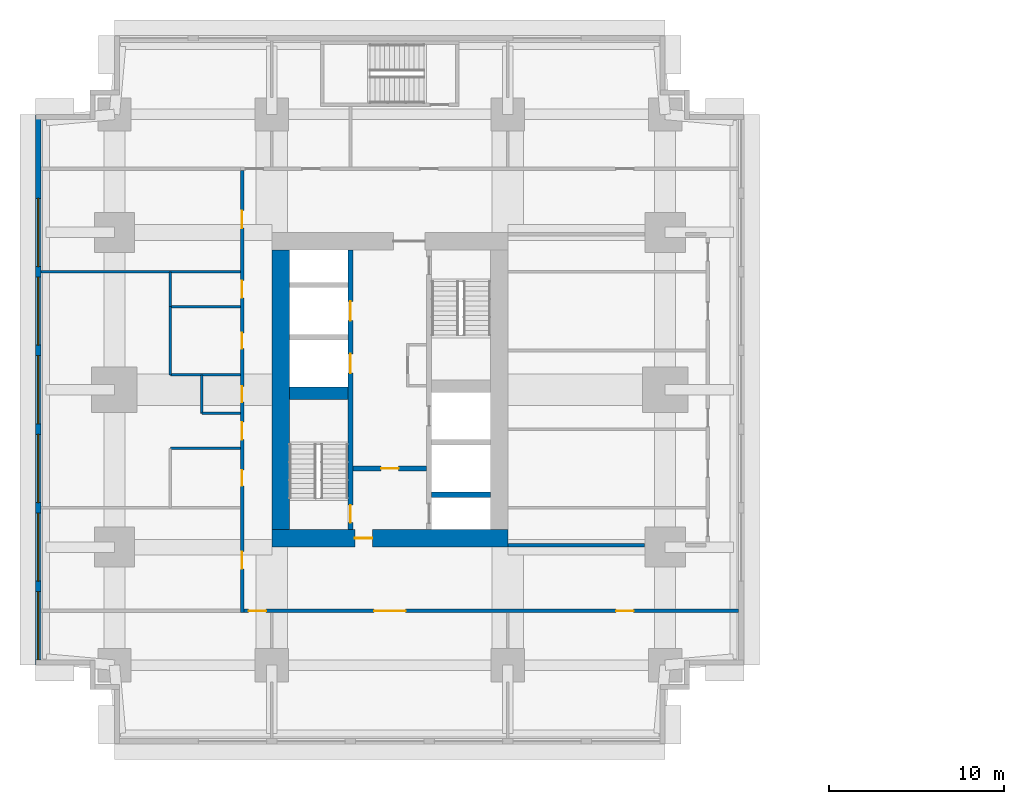
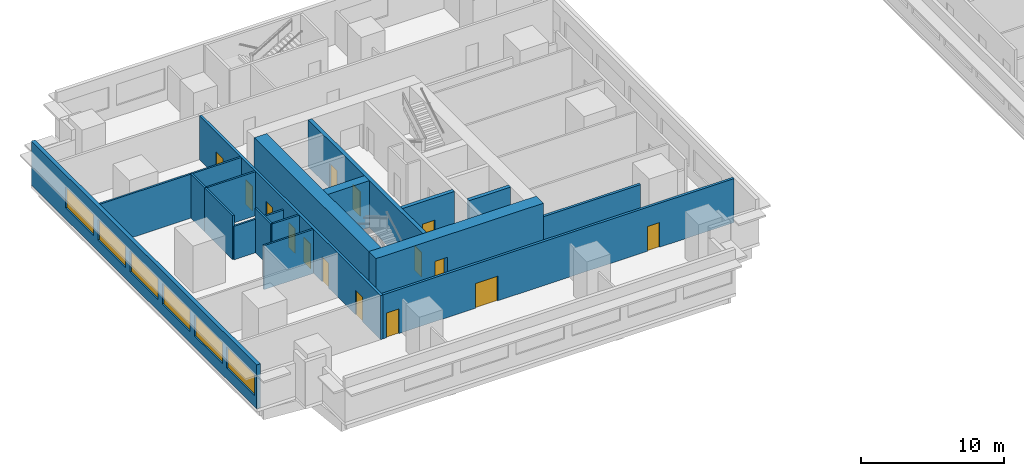
# One storey, part 3 of 11: 18 walls, 15 doors, 6 windows, 21 openings.
"""IFC4 building model written with IfcOpenShell, lengths in metres."""

from ifc_helpers import new_model, si_unit, direction, frame, frame_2d, origin, place, context, subcontext, project, spatial, rectangle, extrude, material, layer, layer_set, type_object, element, fill, save


model = new_model("IFC4")

# Units and contexts
model_context = context("Model", 3, precision=1e-05, world=origin(), true_north=direction((0.0, 1.0)))
body_context = subcontext(model_context, "Body", "Model", "MODEL_VIEW")
ifc_project = project(units=[si_unit("LENGTHUNIT", "METRE"), si_unit("AREAUNIT", "SQUARE_METRE"), si_unit("VOLUMEUNIT", "CUBIC_METRE"), si_unit("PLANEANGLEUNIT", "RADIAN"), si_unit("MASSUNIT", "GRAM", prefix="KILO")], contexts=[model_context])

# Site, building, storey
site_placement = place(None, origin())
site = spatial("IfcSite", under=ifc_project, at=site_placement, CompositionType="ELEMENT")
building_placement = place(site_placement, origin())
building = spatial("IfcBuilding", under=site, at=building_placement, Name="Namib Vertical Campus", CompositionType="ELEMENT")
storey_placement = place(building_placement, frame((0.0, 0.0, 89.0)))
storey = spatial("IfcBuildingStorey", under=building, at=storey_placement, Name="L20", CompositionType="ELEMENT", Elevation=89.0)

# Wall, openings, doors
ifc_material_1 = material(Name="Concrete C60/75", Category="concrete")
ifc_layer_1 = layer(ifc_material_1, 0.300048828125)
ifc_layer_set_1 = layer_set([ifc_layer_1], Name="Concrete C60/75")
wall_type_1 = type_object("IfcWallType", Name="Core inner wall 300", PredefinedType="SHEAR", material=ifc_layer_set_1)
wall_1_placement = place(storey_placement, frame((18.0, 12.25, 0.0), z_axis=(0.0, 0.0, 1.0), x_axis=(0.0, 1.0, 0.0)))
wall_1 = element("IfcWall", 1, at=wall_1_placement, inside=storey, type_object=wall_type_1, Name="Core inner wall A L20 W1", PredefinedType="SHEAR", context=body_context, shape_type="SweptSolid", body=[
    extrude(rectangle(XDim=16.0, YDim=0.300048828125, at=frame_2d((8.0, 0.0))), origin(), (0.0, 0.0, 1.0), 4.0),
])
opening_1_placement = place(wall_1_placement, frame((0.39990234375, 0.0, 0.0)))
opening_1 = element("IfcOpeningElement", 2, at=opening_1_placement, cuts=wall_1, Name="Opening FD1", PredefinedType="OPENING", context=body_context, shape_type="SweptSolid", body=[
    extrude(rectangle(XDim=1.0, YDim=2.10009765625, at=frame_2d((0.5, 1.050048828125))), frame((0.0, 0.159912109375, 0.0), z_axis=(0.0, -1.0, 0.0), x_axis=(1.0, 0.0, 0.0)), (0.0, 0.0, 1.0), 0.320068359375),
])
opening_2_placement = place(wall_1_placement, frame((8.949951171875, 0.0, 0.0)))
opening_2 = element("IfcOpeningElement", 3, at=opening_2_placement, cuts=wall_1, Name="Opening LD1", PredefinedType="OPENING", context=body_context, shape_type="SweptSolid", body=[
    extrude(rectangle(XDim=1.10009765625, YDim=2.10009765625, at=frame_2d((0.550048828125, 1.050048828125))), frame((0.0, 0.159912109375, 0.0), z_axis=(0.0, -1.0, 0.0), x_axis=(1.0, 0.0, 0.0)), (0.0, 0.0, 1.0), 0.320068359375),
])
opening_3_placement = place(wall_1_placement, frame((11.949951171875, 0.0, 0.0)))
opening_3 = element("IfcOpeningElement", 4, at=opening_3_placement, cuts=wall_1, Name="Opening LD1", PredefinedType="OPENING", context=body_context, shape_type="SweptSolid", body=[
    extrude(rectangle(XDim=1.10009765625, YDim=2.10009765625, at=frame_2d((0.550048828125, 1.050048828125))), frame((0.0, 0.159912109375, 0.0), z_axis=(0.0, -1.0, 0.0), x_axis=(1.0, 0.0, 0.0)), (0.0, 0.0, 1.0), 0.320068359375),
])
ifc_material_2 = material(Name="Steel fire door", Category="steel")
door_type_1 = type_object("IfcDoorType", Name="Fire door 1000x2100", OperationType="SINGLE_SWING_RIGHT", PredefinedType="DOOR", material=ifc_material_2)
door_1_placement = place(opening_1_placement, origin())
door_1 = element("IfcDoor", 5, at=door_1_placement, inside=storey, type_object=door_type_1, Name="Stair door FD1 A L20 S1", OperationType="SINGLE_SWING_LEFT", OverallHeight=2.10009765625, OverallWidth=1.0, PredefinedType="DOOR", context=body_context, shape_type="SweptSolid", body=[
    extrude(rectangle(XDim=1.0, YDim=2.10009765625, at=frame_2d((0.5, 1.050048828125))), frame((0.0, 0.02490234375, 0.0), z_axis=(0.0, -1.0, 0.0), x_axis=(1.0, 0.0, 0.0)), (0.0, 0.0, 1.0), 0.050048828125),
])
fill(opening_1, door_1)
ifc_material_3 = material(Name="Stainless steel lift door", Category="steel")
door_type_2 = type_object("IfcDoorType", Name="Lift landing door 1100x2100", OperationType="DOUBLE_DOOR_SLIDING", PredefinedType="DOOR", material=ifc_material_3)
door_2_placement = place(opening_2_placement, origin())
door_2 = element("IfcDoor", 6, at=door_2_placement, inside=storey, type_object=door_type_2, Name="Lift landing door LD1 A-P1 L20", OperationType="DOUBLE_DOOR_SLIDING", OverallHeight=2.10009765625, OverallWidth=1.10009765625, PredefinedType="DOOR", context=body_context, shape_type="SweptSolid", body=[
    extrude(rectangle(XDim=1.10009765625, YDim=2.10009765625, at=frame_2d((0.550048828125, 1.050048828125))), frame((0.0, 0.02490234375, 0.0), z_axis=(0.0, -1.0, 0.0), x_axis=(1.0, 0.0, 0.0)), (0.0, 0.0, 1.0), 0.050048828125),
])
fill(opening_2, door_2)
door_3_placement = place(opening_3_placement, origin())
door_3 = element("IfcDoor", 7, at=door_3_placement, inside=storey, type_object=door_type_2, Name="Lift landing door LD1 A-P2 L20", OperationType="DOUBLE_DOOR_SLIDING", OverallHeight=2.10009765625, OverallWidth=1.10009765625, PredefinedType="DOOR", context=body_context, shape_type="SweptSolid", body=[
    extrude(rectangle(XDim=1.10009765625, YDim=2.10009765625, at=frame_2d((0.550048828125, 1.050048828125))), frame((0.0, 0.02490234375, 0.0), z_axis=(0.0, -1.0, 0.0), x_axis=(1.0, 0.0, 0.0)), (0.0, 0.0, 1.0), 0.050048828125),
])
fill(opening_3, door_3)

# Wall, opening, door
wall_2_placement = place(storey_placement, frame((18.14990234375, 15.75, 0.0), z_axis=(0.0, 0.0, 1.0), x_axis=(1.0, 0.0, 0.0)))
wall_2 = element("IfcWall", 8, at=wall_2_placement, inside=storey, type_object=wall_type_1, Name="Core inner wall A L20 W4", PredefinedType="SHEAR", context=body_context, shape_type="SweptSolid", body=[
    extrude(rectangle(XDim=4.2001953125, YDim=0.300048828125, at=frame_2d((2.10009765625, 0.0))), origin(), (0.0, 0.0, 1.0), 4.0),
])
opening_4_placement = place(wall_2_placement, frame((1.60009765625, 0.0, 0.0)))
opening_4 = element("IfcOpeningElement", 9, at=opening_4_placement, cuts=wall_2, Name="Opening FD5", PredefinedType="OPENING", context=body_context, shape_type="SweptSolid", body=[
    extrude(rectangle(XDim=1.0, YDim=2.10009765625, at=frame_2d((0.5, 1.050048828125))), frame((0.0, 0.159912109375, 0.0), z_axis=(0.0, -1.0, 0.0), x_axis=(1.0, 0.0, 0.0)), (0.0, 0.0, 1.0), 0.320068359375),
])
ifc_material_4 = material(Name="Steel fire door", Category="steel")
door_type_3 = type_object("IfcDoorType", Name="Fire door 1000x2100 120 min", OperationType="SINGLE_SWING_RIGHT", PredefinedType="DOOR", material=ifc_material_4)
door_4_placement = place(opening_4_placement, frame((1.0, 0.0, 0.0), z_axis=(0.0, 0.0, 1.0), x_axis=(-1.0, 0.0, 0.0)))
door_4 = element("IfcDoor", 10, at=door_4_placement, inside=storey, type_object=door_type_3, Name="Lobby door FD5 A L20", OperationType="SINGLE_SWING_RIGHT", OverallHeight=2.10009765625, OverallWidth=1.0, PredefinedType="DOOR", context=body_context, shape_type="SweptSolid", body=[
    extrude(rectangle(XDim=1.0, YDim=2.10009765625, at=frame_2d((0.5, 1.050048828125))), frame((0.0, 0.02490234375, 0.0), z_axis=(0.0, -1.0, 0.0), x_axis=(1.0, 0.0, 0.0)), (0.0, 0.0, 1.0), 0.050048828125),
])
fill(opening_4, door_4)

# Walls
wall_3_placement = place(storey_placement, frame((22.64990234375, 14.25, 0.0), z_axis=(0.0, 0.0, 1.0), x_axis=(1.0, 0.0, 0.0)))
element("IfcWall", 11, at=wall_3_placement, inside=storey, type_object=wall_type_1, Name="Core inner wall A L20 W5", PredefinedType="SHEAR", context=body_context, shape_type="SweptSolid", body=[
    extrude(rectangle(XDim=3.35009765625, YDim=0.300048828125, at=frame_2d((1.675048828125, 0.0))), origin(), (0.0, 0.0, 1.0), 4.0),
])
ifc_material_5 = material(Name="Concrete C60/75", Category="concrete")
ifc_layer_2 = layer(ifc_material_5, 0.699951171875)
ifc_layer_set_2 = layer_set([ifc_layer_2], Name="Concrete C60/75")
wall_type_2 = type_object("IfcWallType", Name="Core shear wall 700", PredefinedType="SHEAR", material=ifc_layer_set_2)
wall_4_placement = place(storey_placement, frame((14.5, 20.050048828125, 0.0), z_axis=(0.0, 0.0, 1.0), x_axis=(1.0, 0.0, 0.0)))
element("IfcWall", 12, at=wall_4_placement, inside=storey, type_object=wall_type_2, Name="Core shear wall A L20 W3", PredefinedType="SHEAR", context=body_context, shape_type="SweptSolid", body=[
    extrude(rectangle(XDim=3.35009765625, YDim=0.699951171875, at=frame_2d((1.675048828125, 0.0))), origin(), (0.0, 0.0, 1.0), 4.0),
])

# Wall, opening, door
ifc_material_6 = material(Name="Concrete C60/75", Category="concrete")
ifc_layer_3 = layer(ifc_material_6, 1.0)
ifc_layer_set_3 = layer_set([ifc_layer_3], Name="Concrete C60/75")
wall_type_3 = type_object("IfcWallType", Name="Core wall 1000", PredefinedType="SHEAR", material=ifc_layer_set_3)
wall_5_placement = place(storey_placement, frame((13.5, 11.75, 0.0), z_axis=(0.0, 0.0, 1.0), x_axis=(1.0, 0.0, 0.0)))
wall_5 = element("IfcWall", 13, at=wall_5_placement, inside=storey, type_object=wall_type_3, Name="Core wall A L20 1", PredefinedType="SHEAR", context=body_context, shape_type="SweptSolid", body=[
    extrude(rectangle(XDim=13.5, YDim=1.0, at=frame_2d((6.75, 0.0))), origin(), (0.0, 0.0, 1.0), 4.0),
])
opening_5_placement = place(wall_5_placement, frame((4.75, 0.0, 0.0)))
opening_5 = element("IfcOpeningElement", 14, at=opening_5_placement, cuts=wall_5, Name="Opening FD5", PredefinedType="OPENING", context=body_context, shape_type="SweptSolid", body=[
    extrude(rectangle(XDim=1.0, YDim=2.10009765625, at=frame_2d((0.5, 1.050048828125))), frame((0.0, 0.510009765625, 0.0), z_axis=(0.0, -1.0, 0.0), x_axis=(1.0, 0.0, 0.0)), (0.0, 0.0, 1.0), 1.02001953125),
])
door_5_placement = place(opening_5_placement, origin())
door_5 = element("IfcDoor", 15, at=door_5_placement, inside=storey, type_object=door_type_3, Name="Firefighting lobby door FD5 A L20", OperationType="SINGLE_SWING_LEFT", OverallHeight=2.10009765625, OverallWidth=1.0, PredefinedType="DOOR", context=body_context, shape_type="SweptSolid", body=[
    extrude(rectangle(XDim=1.0, YDim=2.10009765625, at=frame_2d((0.5, 1.050048828125))), frame((0.0, 0.02490234375, 0.0), z_axis=(0.0, -1.0, 0.0), x_axis=(1.0, 0.0, 0.0)), (0.0, 0.0, 1.0), 0.050048828125),
])
fill(opening_5, door_5)

# Wall
wall_6_placement = place(storey_placement, frame((14.0, 28.25, 0.0), z_axis=(0.0, 0.0, 1.0), x_axis=(0.0, -1.0, 0.0)))
element("IfcWall", 16, at=wall_6_placement, inside=storey, type_object=wall_type_3, Name="Core wall A L20 4", PredefinedType="SHEAR", context=body_context, shape_type="SweptSolid", body=[
    extrude(rectangle(XDim=16.0, YDim=1.0, at=frame_2d((8.0, 0.0))), origin(), (0.0, 0.0, 1.0), 4.0),
])

# Wall, openings, doors
ifc_material_7 = material(Name="Concrete masonry", Category="masonry")
ifc_layer_4 = layer(ifc_material_7, 0.199951171875)
ifc_layer_set_4 = layer_set([ifc_layer_4], Name="Corridor wall 200")
wall_type_4 = type_object("IfcWallType", Name="Corridor wall 200", PredefinedType="SOLIDWALL", material=ifc_layer_set_4)
wall_7_placement = place(storey_placement, frame((11.89990234375, 7.60009765625, 0.0), z_axis=(0.0, 0.0, 1.0), x_axis=(1.0, 0.0, 0.0)))
wall_7 = element("IfcWall", 17, at=wall_7_placement, inside=storey, type_object=wall_type_4, Name="Corridor wall A L20 CS", PredefinedType="SOLIDWALL", context=body_context, shape_type="SweptSolid", body=[
    extrude(rectangle(XDim=28.300048828125, YDim=0.199951171875, at=frame_2d((14.14990234375, 0.0))), origin(), (0.0, 0.0, 1.0), 3.75),
])
opening_6_placement = place(wall_7_placement, frame((0.27490234375, 0.0, 0.0)))
opening_6 = element("IfcOpeningElement", 18, at=opening_6_placement, cuts=wall_7, Name="Opening CD1", PredefinedType="OPENING", context=body_context, shape_type="SweptSolid", body=[
    extrude(rectangle(XDim=1.0, YDim=2.10009765625, at=frame_2d((0.5, 1.050048828125))), frame((0.0, 0.10986328125, 0.0), z_axis=(0.0, -1.0, 0.0), x_axis=(1.0, 0.0, 0.0)), (0.0, 0.0, 1.0), 0.219970703125),
])
opening_7_placement = place(wall_7_placement, frame((7.449951171875, 0.0, 0.0)))
opening_7 = element("IfcOpeningElement", 19, at=opening_7_placement, cuts=wall_7, Name="Opening CD2", PredefinedType="OPENING", context=body_context, shape_type="SweptSolid", body=[
    extrude(rectangle(XDim=1.800048828125, YDim=2.10009765625, at=frame_2d((0.89990234375, 1.050048828125))), frame((0.0, 0.10986328125, 0.0), z_axis=(0.0, -1.0, 0.0), x_axis=(1.0, 0.0, 0.0)), (0.0, 0.0, 1.0), 0.219970703125),
])
opening_8_placement = place(wall_7_placement, frame((21.300048828125, 0.0, 0.0)))
opening_8 = element("IfcOpeningElement", 20, at=opening_8_placement, cuts=wall_7, Name="Opening CD1", PredefinedType="OPENING", context=body_context, shape_type="SweptSolid", body=[
    extrude(rectangle(XDim=1.0, YDim=2.10009765625, at=frame_2d((0.5, 1.050048828125))), frame((0.0, 0.10986328125, 0.0), z_axis=(0.0, -1.0, 0.0), x_axis=(1.0, 0.0, 0.0)), (0.0, 0.0, 1.0), 0.219970703125),
])
ifc_material_8 = material(Name="Timber fire door leaf", Category="wood")
door_type_4 = type_object("IfcDoorType", Name="Corridor door 1000x2100 20 min", OperationType="SINGLE_SWING_LEFT", PredefinedType="DOOR", material=ifc_material_8)
door_6_placement = place(opening_6_placement, frame((1.0, 0.0, 0.0), z_axis=(0.0, 0.0, 1.0), x_axis=(-1.0, 0.0, 0.0)))
door_6 = element("IfcDoor", 21, at=door_6_placement, inside=storey, type_object=door_type_4, Name="Door CD1 A20-01", OperationType="SINGLE_SWING_LEFT", OverallHeight=2.10009765625, OverallWidth=1.0, PredefinedType="DOOR", context=body_context, shape_type="SweptSolid", body=[
    extrude(rectangle(XDim=1.0, YDim=2.10009765625, at=frame_2d((0.5, 1.050048828125))), frame((0.0, 0.02490234375, 0.0), z_axis=(0.0, -1.0, 0.0), x_axis=(1.0, 0.0, 0.0)), (0.0, 0.0, 1.0), 0.050048828125),
])
fill(opening_6, door_6)
door_7_placement = place(opening_8_placement, frame((1.0, 0.0, 0.0), z_axis=(0.0, 0.0, 1.0), x_axis=(-1.0, 0.0, 0.0)))
door_7 = element("IfcDoor", 22, at=door_7_placement, inside=storey, type_object=door_type_4, Name="Door CD1 A20-03", OperationType="SINGLE_SWING_RIGHT", OverallHeight=2.10009765625, OverallWidth=1.0, PredefinedType="DOOR", context=body_context, shape_type="SweptSolid", body=[
    extrude(rectangle(XDim=1.0, YDim=2.10009765625, at=frame_2d((0.5, 1.050048828125))), frame((0.0, 0.02490234375, 0.0), z_axis=(0.0, -1.0, 0.0), x_axis=(1.0, 0.0, 0.0)), (0.0, 0.0, 1.0), 0.050048828125),
])
fill(opening_8, door_7)
ifc_material_9 = material(Name="Timber fire door leaf", Category="wood")
door_type_5 = type_object("IfcDoorType", Name="Corridor door double 1800x2100 20 min", OperationType="DOUBLE_DOOR_SINGLE_SWING", PredefinedType="DOOR", material=ifc_material_9)
door_8_placement = place(opening_7_placement, frame((1.800048828125, 0.0, 0.0), z_axis=(0.0, 0.0, 1.0), x_axis=(-1.0, 0.0, 0.0)))
door_8 = element("IfcDoor", 23, at=door_8_placement, inside=storey, type_object=door_type_5, Name="Door CD2 A20-02", OperationType="DOUBLE_DOOR_SINGLE_SWING", OverallHeight=2.10009765625, OverallWidth=1.800048828125, PredefinedType="DOOR", context=body_context, shape_type="SweptSolid", body=[
    extrude(rectangle(XDim=1.800048828125, YDim=2.10009765625, at=frame_2d((0.89990234375, 1.050048828125))), frame((0.0, 0.02490234375, 0.0), z_axis=(0.0, -1.0, 0.0), x_axis=(1.0, 0.0, 0.0)), (0.0, 0.0, 1.0), 0.050048828125),
])
fill(opening_7, door_8)

wall_8_placement = place(storey_placement, frame((11.800048828125, 32.800048828125, 0.0), z_axis=(0.0, 0.0, 1.0), x_axis=(0.0, -1.0, 0.0)))
wall_8 = element("IfcWall", 24, at=wall_8_placement, inside=storey, type_object=wall_type_4, Name="Corridor wall A L20 CW", PredefinedType="SOLIDWALL", context=body_context, shape_type="SweptSolid", body=[
    extrude(rectangle(XDim=25.300048828125, YDim=0.199951171875, at=frame_2d((12.64990234375, 0.0))), origin(), (0.0, 0.0, 1.0), 3.75),
])
opening_9_placement = place(wall_8_placement, frame((21.800048828125, 0.0, 0.0)))
opening_9 = element("IfcOpeningElement", 25, at=opening_9_placement, cuts=wall_8, Name="Opening CD1", PredefinedType="OPENING", context=body_context, shape_type="SweptSolid", body=[
    extrude(rectangle(XDim=1.0, YDim=2.10009765625, at=frame_2d((0.5, 1.050048828125))), frame((0.0, 0.10986328125, 0.0), z_axis=(0.0, -1.0, 0.0), x_axis=(1.0, 0.0, 0.0)), (0.0, 0.0, 1.0), 0.219970703125),
])
opening_10_placement = place(wall_8_placement, frame((17.14990234375, 0.0, 0.0)))
opening_10 = element("IfcOpeningElement", 26, at=opening_10_placement, cuts=wall_8, Name="Opening CD3", PredefinedType="OPENING", context=body_context, shape_type="SweptSolid", body=[
    extrude(rectangle(XDim=0.89990234375, YDim=2.10009765625, at=frame_2d((0.449951171875, 1.050048828125))), frame((0.0, 0.10986328125, 0.0), z_axis=(0.0, -1.0, 0.0), x_axis=(1.0, 0.0, 0.0)), (0.0, 0.0, 1.0), 0.219970703125),
])
opening_11_placement = place(wall_8_placement, frame((12.35009765625, 0.0, 0.0)))
opening_11 = element("IfcOpeningElement", 27, at=opening_11_placement, cuts=wall_8, Name="Opening CD3", PredefinedType="OPENING", context=body_context, shape_type="SweptSolid", body=[
    extrude(rectangle(XDim=0.89990234375, YDim=2.10009765625, at=frame_2d((0.449951171875, 1.050048828125))), frame((0.0, 0.10986328125, 0.0), z_axis=(0.0, -1.0, 0.0), x_axis=(1.0, 0.0, 0.0)), (0.0, 0.0, 1.0), 0.219970703125),
])
opening_12_placement = place(wall_8_placement, frame((9.300048828125, 0.0, 0.0)))
opening_12 = element("IfcOpeningElement", 28, at=opening_12_placement, cuts=wall_8, Name="Opening CD3", PredefinedType="OPENING", context=body_context, shape_type="SweptSolid", body=[
    extrude(rectangle(XDim=0.89990234375, YDim=2.10009765625, at=frame_2d((0.449951171875, 1.050048828125))), frame((0.0, 0.10986328125, 0.0), z_axis=(0.0, -1.0, 0.0), x_axis=(1.0, 0.0, 0.0)), (0.0, 0.0, 1.0), 0.219970703125),
])
opening_13_placement = place(wall_8_placement, frame((6.300048828125, 0.0, 0.0)))
opening_13 = element("IfcOpeningElement", 29, at=opening_13_placement, cuts=wall_8, Name="Opening CD1", PredefinedType="OPENING", context=body_context, shape_type="SweptSolid", body=[
    extrude(rectangle(XDim=1.0, YDim=2.10009765625, at=frame_2d((0.5, 1.050048828125))), frame((0.0, 0.10986328125, 0.0), z_axis=(0.0, -1.0, 0.0), x_axis=(1.0, 0.0, 0.0)), (0.0, 0.0, 1.0), 0.219970703125),
])
opening_14_placement = place(wall_8_placement, frame((14.39990234375, 0.0, 0.0)))
opening_14 = element("IfcOpeningElement", 30, at=opening_14_placement, cuts=wall_8, Name="Opening CD1", PredefinedType="OPENING", context=body_context, shape_type="SweptSolid", body=[
    extrude(rectangle(XDim=1.0, YDim=2.10009765625, at=frame_2d((0.5, 1.050048828125))), frame((0.0, 0.10986328125, 0.0), z_axis=(0.0, -1.0, 0.0), x_axis=(1.0, 0.0, 0.0)), (0.0, 0.0, 1.0), 0.219970703125),
])
opening_15_placement = place(wall_8_placement, frame((2.300048828125, 0.0, 0.0)))
opening_15 = element("IfcOpeningElement", 31, at=opening_15_placement, cuts=wall_8, Name="Opening CD1", PredefinedType="OPENING", context=body_context, shape_type="SweptSolid", body=[
    extrude(rectangle(XDim=1.0, YDim=2.10009765625, at=frame_2d((0.5, 1.050048828125))), frame((0.0, 0.10986328125, 0.0), z_axis=(0.0, -1.0, 0.0), x_axis=(1.0, 0.0, 0.0)), (0.0, 0.0, 1.0), 0.219970703125),
])
door_9_placement = place(opening_9_placement, frame((1.0, 0.0, 0.0), z_axis=(0.0, 0.0, 1.0), x_axis=(-1.0, 0.0, 0.0)))
door_9 = element("IfcDoor", 32, at=door_9_placement, inside=storey, type_object=door_type_4, Name="Door CD1 A20-13", OperationType="SINGLE_SWING_RIGHT", OverallHeight=2.10009765625, OverallWidth=1.0, PredefinedType="DOOR", context=body_context, shape_type="SweptSolid", body=[
    extrude(rectangle(XDim=1.0, YDim=2.10009765625, at=frame_2d((0.5, 1.050048828125))), frame((0.0, 0.02490234375, 0.0), z_axis=(0.0, -1.0, 0.0), x_axis=(1.0, 0.0, 0.0)), (0.0, 0.0, 1.0), 0.050048828125),
])
fill(opening_9, door_9)
door_10_placement = place(opening_13_placement, frame((1.0, 0.0, 0.0), z_axis=(0.0, 0.0, 1.0), x_axis=(-1.0, 0.0, 0.0)))
door_10 = element("IfcDoor", 33, at=door_10_placement, inside=storey, type_object=door_type_4, Name="Door CD1 A20-17", OperationType="SINGLE_SWING_RIGHT", OverallHeight=2.10009765625, OverallWidth=1.0, PredefinedType="DOOR", context=body_context, shape_type="SweptSolid", body=[
    extrude(rectangle(XDim=1.0, YDim=2.10009765625, at=frame_2d((0.5, 1.050048828125))), frame((0.0, 0.02490234375, 0.0), z_axis=(0.0, -1.0, 0.0), x_axis=(1.0, 0.0, 0.0)), (0.0, 0.0, 1.0), 0.050048828125),
])
fill(opening_13, door_10)
door_11_placement = place(opening_14_placement, frame((1.0, 0.0, 0.0), z_axis=(0.0, 0.0, 1.0), x_axis=(-1.0, 0.0, 0.0)))
door_11 = element("IfcDoor", 34, at=door_11_placement, inside=storey, type_object=door_type_4, Name="Door CD1 A20-18", OperationType="SINGLE_SWING_RIGHT", OverallHeight=2.10009765625, OverallWidth=1.0, PredefinedType="DOOR", context=body_context, shape_type="SweptSolid", body=[
    extrude(rectangle(XDim=1.0, YDim=2.10009765625, at=frame_2d((0.5, 1.050048828125))), frame((0.0, 0.02490234375, 0.0), z_axis=(0.0, -1.0, 0.0), x_axis=(1.0, 0.0, 0.0)), (0.0, 0.0, 1.0), 0.050048828125),
])
fill(opening_14, door_11)
door_12_placement = place(opening_15_placement, frame((1.0, 0.0, 0.0), z_axis=(0.0, 0.0, 1.0), x_axis=(-1.0, 0.0, 0.0)))
door_12 = element("IfcDoor", 35, at=door_12_placement, inside=storey, type_object=door_type_4, Name="Door CD1 A20-19", OperationType="SINGLE_SWING_RIGHT", OverallHeight=2.10009765625, OverallWidth=1.0, PredefinedType="DOOR", context=body_context, shape_type="SweptSolid", body=[
    extrude(rectangle(XDim=1.0, YDim=2.10009765625, at=frame_2d((0.5, 1.050048828125))), frame((0.0, 0.02490234375, 0.0), z_axis=(0.0, -1.0, 0.0), x_axis=(1.0, 0.0, 0.0)), (0.0, 0.0, 1.0), 0.050048828125),
])
fill(opening_15, door_12)
ifc_material_10 = material(Name="Timber fire door leaf", Category="wood")
door_type_6 = type_object("IfcDoorType", Name="Corridor toilet door 900x2100 20 min", OperationType="SINGLE_SWING_LEFT", PredefinedType="DOOR", material=ifc_material_10)
door_13_placement = place(opening_10_placement, frame((0.89990234375, 0.0, 0.0), z_axis=(0.0, 0.0, 1.0), x_axis=(-1.0, 0.0, 0.0)))
door_13 = element("IfcDoor", 36, at=door_13_placement, inside=storey, type_object=door_type_6, Name="Door CD3 A20-14", OperationType="SINGLE_SWING_RIGHT", OverallHeight=2.10009765625, OverallWidth=0.89990234375, PredefinedType="DOOR", context=body_context, shape_type="SweptSolid", body=[
    extrude(rectangle(XDim=0.89990234375, YDim=2.10009765625, at=frame_2d((0.449951171875, 1.050048828125))), frame((0.0, 0.02490234375, 0.0), z_axis=(0.0, -1.0, 0.0), x_axis=(1.0, 0.0, 0.0)), (0.0, 0.0, 1.0), 0.050048828125),
])
fill(opening_10, door_13)
door_14_placement = place(opening_11_placement, frame((0.89990234375, 0.0, 0.0), z_axis=(0.0, 0.0, 1.0), x_axis=(-1.0, 0.0, 0.0)))
door_14 = element("IfcDoor", 37, at=door_14_placement, inside=storey, type_object=door_type_6, Name="Door CD3 A20-15", OperationType="SINGLE_SWING_RIGHT", OverallHeight=2.10009765625, OverallWidth=0.89990234375, PredefinedType="DOOR", context=body_context, shape_type="SweptSolid", body=[
    extrude(rectangle(XDim=0.89990234375, YDim=2.10009765625, at=frame_2d((0.449951171875, 1.050048828125))), frame((0.0, 0.02490234375, 0.0), z_axis=(0.0, -1.0, 0.0), x_axis=(1.0, 0.0, 0.0)), (0.0, 0.0, 1.0), 0.050048828125),
])
fill(opening_11, door_14)
door_15_placement = place(opening_12_placement, frame((0.89990234375, 0.0, 0.0), z_axis=(0.0, 0.0, 1.0), x_axis=(-1.0, 0.0, 0.0)))
door_15 = element("IfcDoor", 38, at=door_15_placement, inside=storey, type_object=door_type_6, Name="Door CD3 A20-16", OperationType="SINGLE_SWING_RIGHT", OverallHeight=2.10009765625, OverallWidth=0.89990234375, PredefinedType="DOOR", context=body_context, shape_type="SweptSolid", body=[
    extrude(rectangle(XDim=0.89990234375, YDim=2.10009765625, at=frame_2d((0.449951171875, 1.050048828125))), frame((0.0, 0.02490234375, 0.0), z_axis=(0.0, -1.0, 0.0), x_axis=(1.0, 0.0, 0.0)), (0.0, 0.0, 1.0), 0.050048828125),
])
fill(opening_12, door_15)

# Wall
wall_9_placement = place(storey_placement, frame((27.0, 11.35009765625, 0.0), z_axis=(0.0, 0.0, 1.0), x_axis=(1.0, 0.0, 0.0)))
element("IfcWall", 39, at=wall_9_placement, inside=storey, type_object=wall_type_4, Name="Corridor wall A L20 GS", PredefinedType="SOLIDWALL", context=body_context, shape_type="SweptSolid", body=[
    extrude(rectangle(XDim=7.830078125, YDim=0.199951171875, at=frame_2d((3.9150390625, 0.0))), origin(), (0.0, 0.0, 1.0), 2.85009765625),
])

# Wall, openings, windows
ifc_material_11 = material(Name="Concrete C40/50", Category="concrete")
ifc_layer_5 = layer(ifc_material_11, 0.300048828125)
ifc_layer_set_5 = layer_set([ifc_layer_5], Name="Concrete C40/50")
wall_type_5 = type_object("IfcWallType", Name="External wall 300 board-marked concrete", PredefinedType="STANDARD", material=ifc_layer_set_5)
wall_10_placement = place(storey_placement, frame((0.14990234375, 35.97998046875, 0.0), z_axis=(0.0, 0.0, 1.0), x_axis=(0.0, -1.0, 0.0)))
wall_10 = element("IfcWall", 40, at=wall_10_placement, inside=storey, type_object=wall_type_5, Name="External wall L20 F16", PredefinedType="STANDARD", context=body_context, shape_type="SweptSolid", body=[
    extrude(rectangle(XDim=31.4599609375, YDim=0.300048828125, at=frame_2d((15.72998046875, 0.0))), origin(), (0.0, 0.0, 1.0), 3.75),
])
opening_16_placement = place(wall_10_placement, frame((27.280029296875, 0.0, 0.949951171875)))
opening_16 = element("IfcOpeningElement", 41, at=opening_16_placement, cuts=wall_10, Name="Opening W3", PredefinedType="OPENING", context=body_context, shape_type="SweptSolid", body=[
    extrude(rectangle(XDim=3.89990234375, YDim=1.800048828125, at=frame_2d((1.949951171875, 0.89990234375))), frame((0.0, 0.159912109375, 0.0), z_axis=(0.0, -1.0, 0.0), x_axis=(1.0, 0.0, 0.0)), (0.0, 0.0, 1.0), 0.320068359375),
])
opening_17_placement = place(wall_10_placement, frame((22.780029296875, 0.0, 0.949951171875)))
opening_17 = element("IfcOpeningElement", 42, at=opening_17_placement, cuts=wall_10, Name="Opening W3", PredefinedType="OPENING", context=body_context, shape_type="SweptSolid", body=[
    extrude(rectangle(XDim=3.89990234375, YDim=1.800048828125, at=frame_2d((1.949951171875, 0.89990234375))), frame((0.0, 0.159912109375, 0.0), z_axis=(0.0, -1.0, 0.0), x_axis=(1.0, 0.0, 0.0)), (0.0, 0.0, 1.0), 0.320068359375),
])
opening_18_placement = place(wall_10_placement, frame((18.280029296875, 0.0, 0.949951171875)))
opening_18 = element("IfcOpeningElement", 43, at=opening_18_placement, cuts=wall_10, Name="Opening W3", PredefinedType="OPENING", context=body_context, shape_type="SweptSolid", body=[
    extrude(rectangle(XDim=3.89990234375, YDim=1.800048828125, at=frame_2d((1.949951171875, 0.89990234375))), frame((0.0, 0.159912109375, 0.0), z_axis=(0.0, -1.0, 0.0), x_axis=(1.0, 0.0, 0.0)), (0.0, 0.0, 1.0), 0.320068359375),
])
opening_19_placement = place(wall_10_placement, frame((13.780029296875, 0.0, 0.949951171875)))
opening_19 = element("IfcOpeningElement", 44, at=opening_19_placement, cuts=wall_10, Name="Opening W3", PredefinedType="OPENING", context=body_context, shape_type="SweptSolid", body=[
    extrude(rectangle(XDim=3.89990234375, YDim=1.800048828125, at=frame_2d((1.949951171875, 0.89990234375))), frame((0.0, 0.159912109375, 0.0), z_axis=(0.0, -1.0, 0.0), x_axis=(1.0, 0.0, 0.0)), (0.0, 0.0, 1.0), 0.320068359375),
])
opening_20_placement = place(wall_10_placement, frame((9.280029296875, 0.0, 0.949951171875)))
opening_20 = element("IfcOpeningElement", 45, at=opening_20_placement, cuts=wall_10, Name="Opening W3", PredefinedType="OPENING", context=body_context, shape_type="SweptSolid", body=[
    extrude(rectangle(XDim=3.89990234375, YDim=1.800048828125, at=frame_2d((1.949951171875, 0.89990234375))), frame((0.0, 0.159912109375, 0.0), z_axis=(0.0, -1.0, 0.0), x_axis=(1.0, 0.0, 0.0)), (0.0, 0.0, 1.0), 0.320068359375),
])
opening_21_placement = place(wall_10_placement, frame((4.780029296875, 0.0, 0.949951171875)))
opening_21 = element("IfcOpeningElement", 46, at=opening_21_placement, cuts=wall_10, Name="Opening W3", PredefinedType="OPENING", context=body_context, shape_type="SweptSolid", body=[
    extrude(rectangle(XDim=3.89990234375, YDim=1.800048828125, at=frame_2d((1.949951171875, 0.89990234375))), frame((0.0, 0.159912109375, 0.0), z_axis=(0.0, -1.0, 0.0), x_axis=(1.0, 0.0, 0.0)), (0.0, 0.0, 1.0), 0.320068359375),
])
ifc_material_12 = material(Name="Dark tinted glass in black aluminium frame", Category="aluminium")
window_type = type_object("IfcWindowType", Name="Ribbon window 3900x1800", PartitioningType="SINGLE_PANEL", PredefinedType="WINDOW", material=ifc_material_12)
window_1_placement = place(opening_16_placement, origin())
window_1 = element("IfcWindow", 47, at=window_1_placement, inside=storey, type_object=window_type, Name="Window W3 L20 F16-1", OverallHeight=1.800048828125, OverallWidth=3.89990234375, PartitioningType="SINGLE_PANEL", PredefinedType="WINDOW", context=body_context, shape_type="SweptSolid", body=[
    extrude(rectangle(XDim=3.89990234375, YDim=1.800048828125, at=frame_2d((1.949951171875, 0.89990234375))), frame((0.0, 0.030029296875, 0.0), z_axis=(0.0, -1.0, 0.0), x_axis=(1.0, 0.0, 0.0)), (0.0, 0.0, 1.0), 0.06005859375),
])
fill(opening_16, window_1)
window_2_placement = place(opening_17_placement, origin())
window_2 = element("IfcWindow", 48, at=window_2_placement, inside=storey, type_object=window_type, Name="Window W3 L20 F16-2", OverallHeight=1.800048828125, OverallWidth=3.89990234375, PartitioningType="SINGLE_PANEL", PredefinedType="WINDOW", context=body_context, shape_type="SweptSolid", body=[
    extrude(rectangle(XDim=3.89990234375, YDim=1.800048828125, at=frame_2d((1.949951171875, 0.89990234375))), frame((0.0, 0.030029296875, 0.0), z_axis=(0.0, -1.0, 0.0), x_axis=(1.0, 0.0, 0.0)), (0.0, 0.0, 1.0), 0.06005859375),
])
fill(opening_17, window_2)
window_3_placement = place(opening_18_placement, origin())
window_3 = element("IfcWindow", 49, at=window_3_placement, inside=storey, type_object=window_type, Name="Window W3 L20 F16-3", OverallHeight=1.800048828125, OverallWidth=3.89990234375, PartitioningType="SINGLE_PANEL", PredefinedType="WINDOW", context=body_context, shape_type="SweptSolid", body=[
    extrude(rectangle(XDim=3.89990234375, YDim=1.800048828125, at=frame_2d((1.949951171875, 0.89990234375))), frame((0.0, 0.030029296875, 0.0), z_axis=(0.0, -1.0, 0.0), x_axis=(1.0, 0.0, 0.0)), (0.0, 0.0, 1.0), 0.06005859375),
])
fill(opening_18, window_3)
window_4_placement = place(opening_19_placement, origin())
window_4 = element("IfcWindow", 50, at=window_4_placement, inside=storey, type_object=window_type, Name="Window W3 L20 F16-4", OverallHeight=1.800048828125, OverallWidth=3.89990234375, PartitioningType="SINGLE_PANEL", PredefinedType="WINDOW", context=body_context, shape_type="SweptSolid", body=[
    extrude(rectangle(XDim=3.89990234375, YDim=1.800048828125, at=frame_2d((1.949951171875, 0.89990234375))), frame((0.0, 0.030029296875, 0.0), z_axis=(0.0, -1.0, 0.0), x_axis=(1.0, 0.0, 0.0)), (0.0, 0.0, 1.0), 0.06005859375),
])
fill(opening_19, window_4)
window_5_placement = place(opening_20_placement, origin())
window_5 = element("IfcWindow", 51, at=window_5_placement, inside=storey, type_object=window_type, Name="Window W3 L20 F16-5", OverallHeight=1.800048828125, OverallWidth=3.89990234375, PartitioningType="SINGLE_PANEL", PredefinedType="WINDOW", context=body_context, shape_type="SweptSolid", body=[
    extrude(rectangle(XDim=3.89990234375, YDim=1.800048828125, at=frame_2d((1.949951171875, 0.89990234375))), frame((0.0, 0.030029296875, 0.0), z_axis=(0.0, -1.0, 0.0), x_axis=(1.0, 0.0, 0.0)), (0.0, 0.0, 1.0), 0.06005859375),
])
fill(opening_20, window_5)
window_6_placement = place(opening_21_placement, origin())
window_6 = element("IfcWindow", 52, at=window_6_placement, inside=storey, type_object=window_type, Name="Window W3 L20 F16-6", OverallHeight=1.800048828125, OverallWidth=3.89990234375, PartitioningType="SINGLE_PANEL", PredefinedType="WINDOW", context=body_context, shape_type="SweptSolid", body=[
    extrude(rectangle(XDim=3.89990234375, YDim=1.800048828125, at=frame_2d((1.949951171875, 0.89990234375))), frame((0.0, 0.030029296875, 0.0), z_axis=(0.0, -1.0, 0.0), x_axis=(1.0, 0.0, 0.0)), (0.0, 0.0, 1.0), 0.06005859375),
])
fill(opening_21, window_6)

# Walls
ifc_material_13 = material(Name="Gypsum board on steel studs", Category="steel")
ifc_layer_6 = layer(ifc_material_13, 0.14990234375)
ifc_layer_set_6 = layer_set([ifc_layer_6], Name="Gypsum board on steel studs")
wall_type_6 = type_object("IfcWallType", Name="Partition 150", PredefinedType="PARTITIONING", material=ifc_layer_set_6)
wall_11_placement = place(storey_placement, frame((0.300048828125, 27.0, 0.0), z_axis=(0.0, 0.0, 1.0), x_axis=(1.0, 0.0, 0.0)))
element("IfcWall", 53, at=wall_11_placement, inside=storey, type_object=wall_type_6, Name="Partition A L20 PW2", PredefinedType="PARTITIONING", context=body_context, shape_type="SweptSolid", body=[
    extrude(rectangle(XDim=11.39990234375, YDim=0.14990234375, at=frame_2d((5.699951171875, 0.0))), origin(), (0.0, 0.0, 1.0), 3.75),
])
wall_12_placement = place(storey_placement, frame((11.699951171875, 16.89990234375, 0.0), z_axis=(0.0, 0.0, 1.0), x_axis=(-1.0, 0.0, 0.0)))
element("IfcWall", 54, at=wall_12_placement, inside=storey, type_object=wall_type_6, Name="Partition A L20 WR1", PredefinedType="PARTITIONING", context=body_context, shape_type="SweptSolid", body=[
    extrude(rectangle(XDim=4.0, YDim=0.14990234375, at=frame_2d((2.0, 0.0))), origin(), (0.0, 0.0, 1.0), 3.75),
])
wall_13_placement = place(storey_placement, frame((11.699951171875, 18.89990234375, 0.0), z_axis=(0.0, 0.0, 1.0), x_axis=(-1.0, 0.0, 0.0)))
element("IfcWall", 55, at=wall_13_placement, inside=storey, type_object=wall_type_6, Name="Partition A L20 WR2", PredefinedType="PARTITIONING", context=body_context, shape_type="SweptSolid", body=[
    extrude(rectangle(XDim=2.199951171875, YDim=0.14990234375, at=frame_2d((1.10009765625, 0.0))), origin(), (0.0, 0.0, 1.0), 3.75),
])
wall_14_placement = place(storey_placement, frame((11.699951171875, 21.10009765625, 0.0), z_axis=(0.0, 0.0, 1.0), x_axis=(-1.0, 0.0, 0.0)))
element("IfcWall", 56, at=wall_14_placement, inside=storey, type_object=wall_type_6, Name="Partition A L20 WR3", PredefinedType="PARTITIONING", context=body_context, shape_type="SweptSolid", body=[
    extrude(rectangle(XDim=4.0, YDim=0.14990234375, at=frame_2d((2.0, 0.0))), origin(), (0.0, 0.0, 1.0), 2.85009765625),
])
wall_15_placement = place(storey_placement, frame((11.699951171875, 25.0, 0.0), z_axis=(0.0, 0.0, 1.0), x_axis=(-1.0, 0.0, 0.0)))
element("IfcWall", 57, at=wall_15_placement, inside=storey, type_object=wall_type_6, Name="Partition A L20 WR4", PredefinedType="PARTITIONING", context=body_context, shape_type="SweptSolid", body=[
    extrude(rectangle(XDim=4.0, YDim=0.14990234375, at=frame_2d((2.0, 0.0))), origin(), (0.0, 0.0, 1.0), 3.75),
])
wall_16_placement = place(storey_placement, frame((9.5, 18.89990234375, 0.0), z_axis=(0.0, 0.0, 1.0), x_axis=(0.0, 1.0, 0.0)))
element("IfcWall", 58, at=wall_16_placement, inside=storey, type_object=wall_type_6, Name="Partition A L20 WB2", PredefinedType="PARTITIONING", context=body_context, shape_type="SweptSolid", body=[
    extrude(rectangle(XDim=2.2001953125, YDim=0.14990234375, at=frame_2d((1.10009765625, 0.0))), origin(), (0.0, 0.0, 1.0), 3.75),
])
wall_17_placement = place(storey_placement, frame((7.699951171875, 21.10009765625, 0.0), z_axis=(0.0, 0.0, 1.0), x_axis=(0.0, 1.0, 0.0)))
element("IfcWall", 59, at=wall_17_placement, inside=storey, type_object=wall_type_6, Name="Partition A L20 WB3", PredefinedType="PARTITIONING", context=body_context, shape_type="SweptSolid", body=[
    extrude(rectangle(XDim=3.89990234375, YDim=0.14990234375, at=frame_2d((1.949951171875, 0.0))), origin(), (0.0, 0.0, 1.0), 3.75),
])
wall_18_placement = place(storey_placement, frame((7.699951171875, 25.0, 0.0), z_axis=(0.0, 0.0, 1.0), x_axis=(0.0, 1.0, 0.0)))
element("IfcWall", 60, at=wall_18_placement, inside=storey, type_object=wall_type_6, Name="Partition A L20 WB4", PredefinedType="PARTITIONING", context=body_context, shape_type="SweptSolid", body=[
    extrude(rectangle(XDim=2.0, YDim=0.14990234375, at=frame_2d((1.0, 0.0))), origin(), (0.0, 0.0, 1.0), 3.75),
])

save(model, "model.ifc")
